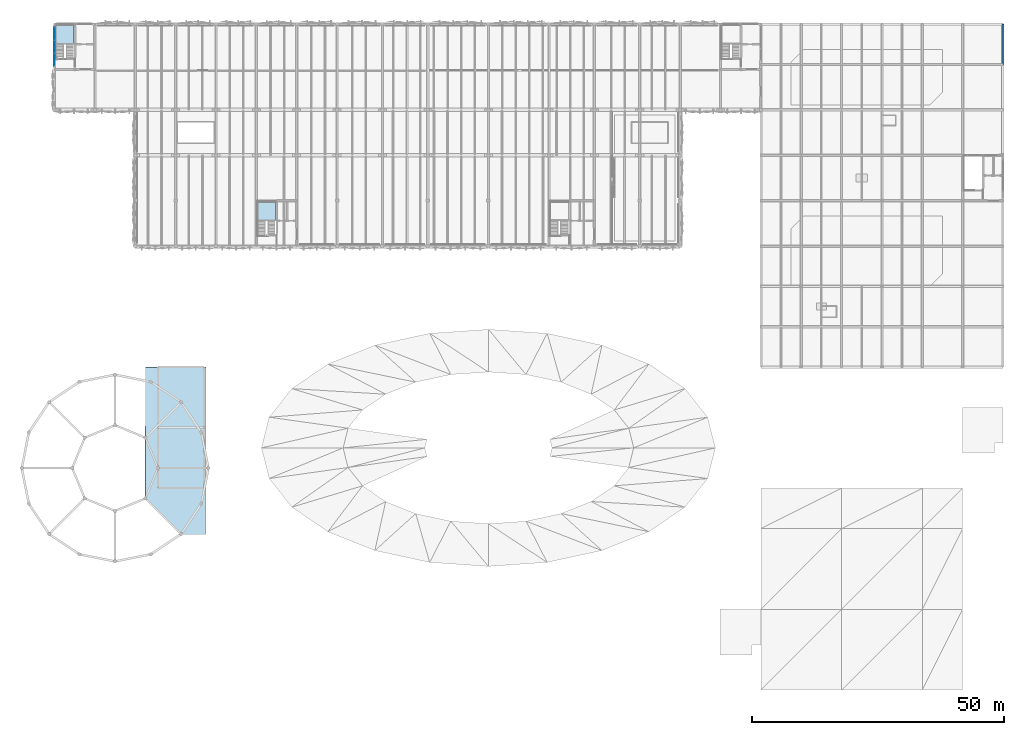
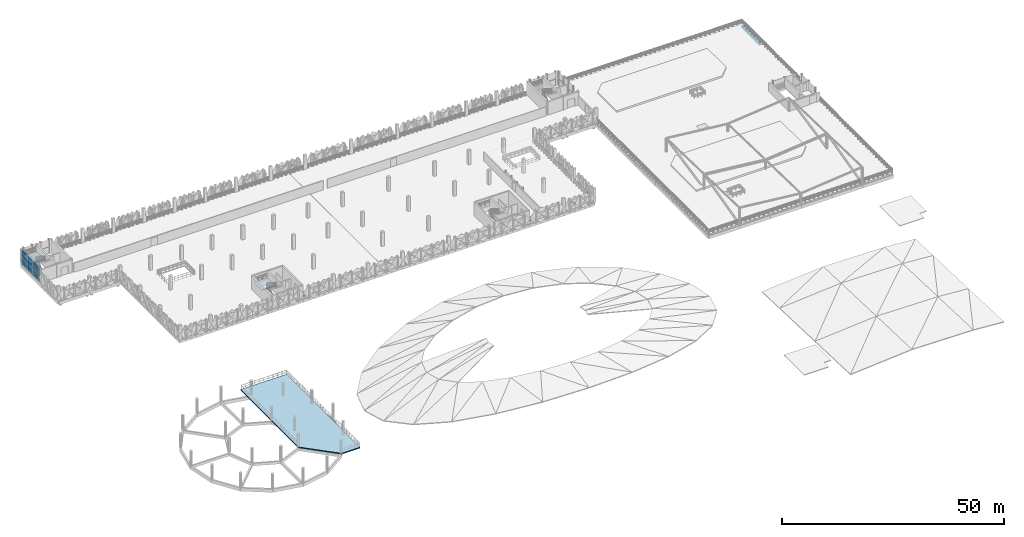
# One storey, part 21 of 52: 6 plates, 3 slabs, 1 beam, 3 elements without a shape of their own.
"""IFC4 building model written with IfcOpenShell, lengths in metres."""

from ifc_helpers import new_model, si_unit, derived_unit, direction, frame, origin, origin_2d, place, context, subcontext, project, spatial, polyline, rectangle, outline, extrude, material, layer, layer_set, material_profile, profile_set, type_object, element, aggregate, save


model = new_model("IFC4")

# Units and contexts
model_context = context("Model", 3, precision=1e-05, world=origin(), true_north=direction((0.0, 1.0)))
body_context = subcontext(model_context, "Body", "Model", "MODEL_VIEW")
ifc_project = project(units=[si_unit("LENGTHUNIT", "METRE"), si_unit("AREAUNIT", "SQUARE_METRE"), si_unit("VOLUMEUNIT", "CUBIC_METRE"), si_unit("PLANEANGLEUNIT", "RADIAN"), si_unit("MASSUNIT", "GRAM", prefix="KILO"), si_unit("THERMODYNAMICTEMPERATUREUNIT", "KELVIN"), derived_unit("THERMALTRANSMITTANCEUNIT", [(si_unit("POWERUNIT", "WATT"), 1), (si_unit("AREAUNIT", "SQUARE_METRE"), -1), (si_unit("THERMODYNAMICTEMPERATUREUNIT", "KELVIN"), -1)])], contexts=[model_context])

# Site, building, storey
site_placement = place(None, origin())
site = spatial("IfcSite", under=ifc_project, at=site_placement, CompositionType="ELEMENT")
building_placement = place(site_placement, origin())
building = spatial("IfcBuilding", under=site, at=building_placement, Name="Haiyu Intermodal Mobility Hub", CompositionType="ELEMENT")
storey_placement = place(building_placement, frame((0.0, 0.0, 21.199951171875)))
storey = spatial("IfcBuildingStorey", under=building, at=storey_placement, Name="L05", CompositionType="ELEMENT", Elevation=21.199951171875)

# Beam
ifc_material_1 = material(Name="Concrete C40", Category="concrete")
ifc_material_profile = material_profile(ifc_material_1, rectangle(XDim=0.39990234375, YDim=0.800048828125, at=origin_2d()), Name="RCB400x800")
ifc_profile_set = profile_set([ifc_material_profile], Name="Concrete C40")
beam_type = type_object("IfcBeamType", Name="BM-CB05", PredefinedType="BEAM", material=ifc_profile_set)
beam_placement = place(storey_placement, frame((210.0, 140.0, -0.699951171875), z_axis=(0.0, 1.0, 0.0), x_axis=(-1.0, 0.0, 0.0)))
element("IfcBeam", 1, at=beam_placement, inside=storey, type_object=beam_type, Name="BM-V6T-L05-056", PredefinedType="BEAM", context=body_context, shape_type="SweptSolid", body=[
    extrude(rectangle(XDim=0.39990234375, YDim=0.800048828125, at=origin_2d()), origin(), (0.0, 0.0, 1.0), 8.0),
])

# Curtain wall, plates
ifc_material_2 = material(Name="Low-e laminated insulating glass", Category="glass")
ifc_layer_1 = layer(ifc_material_2, 0.199951171875)
ifc_layer_set_1 = layer_set([ifc_layer_1], Name="Low-e laminated insulating glass")
curtain_wall_type = type_object("IfcCurtainWallType", Name="CW-CW03", PredefinedType="NOTDEFINED", material=ifc_layer_set_1)
curtain_wall_placement = place(storey_placement, origin())
curtain_wall = element("IfcCurtainWall", 2, at=curtain_wall_placement, inside=storey, type_object=curtain_wall_type, Name="Curtain Wall CW-C3S-L05-060", PredefinedType="NOTDEFINED")
ifc_layer_2 = layer(ifc_material_2, 0.0400390625)
ifc_layer_set_2 = layer_set([ifc_layer_2], Name="Low-e laminated insulating glass")
plate_type_1 = type_object("IfcPlateType", Name="PLT-CP03", PredefinedType="CURTAIN_PANEL", material=ifc_layer_set_2)
plate_1_placement = place(storey_placement, frame((22.0, 146.06005859375, 0.03515625), z_axis=(0.0, 0.0, 1.0), x_axis=(0.0, -1.0, 0.0)))
plate_1 = element("IfcPlate", 3, at=plate_1_placement, type_object=plate_type_1, Name="CW-C3S-L05-060-PN01", PredefinedType="CURTAIN_PANEL", context=body_context, shape_type="SweptSolid", body=[
    extrude(rectangle(XDim=2.469970703125, YDim=0.0400390625, at=origin_2d()), origin(), (0.0, 0.0, 1.0), 1.840087890625),
])
plate_2_placement = place(storey_placement, frame((22.0, 143.5, 0.03515625), z_axis=(0.0, 0.0, 1.0), x_axis=(0.0, -1.0, 0.0)))
plate_2 = element("IfcPlate", 4, at=plate_2_placement, type_object=plate_type_1, Name="CW-C3S-L05-060-PN03", PredefinedType="CURTAIN_PANEL", context=body_context, shape_type="SweptSolid", body=[
    extrude(rectangle(XDim=2.469970703125, YDim=0.0400390625, at=origin_2d()), origin(), (0.0, 0.0, 1.0), 1.840087890625),
])
plate_3_placement = place(storey_placement, frame((22.0, 140.93994140625, 0.03515625), z_axis=(0.0, 0.0, 1.0), x_axis=(0.0, -1.0, 0.0)))
plate_3 = element("IfcPlate", 5, at=plate_3_placement, type_object=plate_type_1, Name="CW-C3S-L05-060-PN05", PredefinedType="CURTAIN_PANEL", context=body_context, shape_type="SweptSolid", body=[
    extrude(rectangle(XDim=2.469970703125, YDim=0.0400390625, at=origin_2d()), origin(), (0.0, 0.0, 1.0), 1.840087890625),
])
ifc_layer_3 = layer(ifc_material_2, 0.0439453125)
ifc_layer_set_3 = layer_set([ifc_layer_3], Name="Low-e laminated insulating glass")
plate_type_2 = type_object("IfcPlateType", Name="PLT-CP04", PredefinedType="CURTAIN_PANEL", material=ifc_layer_set_3)
plate_4_placement = place(storey_placement, frame((22.0, 146.06005859375, 1.94482421875), z_axis=(0.0, 0.0, 1.0), x_axis=(0.0, -1.0, 0.0)))
plate_4 = element("IfcPlate", 6, at=plate_4_placement, type_object=plate_type_2, Name="CW-C3S-L05-060-PN02", PredefinedType="CURTAIN_PANEL", context=body_context, shape_type="SweptSolid", body=[
    extrude(rectangle(XDim=2.469970703125, YDim=0.0439453125, at=origin_2d()), origin(), (0.0, 0.0, 1.0), 1.840087890625),
])
plate_5_placement = place(storey_placement, frame((22.0, 143.5, 1.94482421875), z_axis=(0.0, 0.0, 1.0), x_axis=(0.0, -1.0, 0.0)))
plate_5 = element("IfcPlate", 7, at=plate_5_placement, type_object=plate_type_2, Name="CW-C3S-L05-060-PN04", PredefinedType="CURTAIN_PANEL", context=body_context, shape_type="SweptSolid", body=[
    extrude(rectangle(XDim=2.469970703125, YDim=0.0439453125, at=origin_2d()), origin(), (0.0, 0.0, 1.0), 1.840087890625),
])
plate_6_placement = place(storey_placement, frame((22.0, 140.93994140625, 1.94482421875), z_axis=(0.0, 0.0, 1.0), x_axis=(0.0, -1.0, 0.0)))
plate_6 = element("IfcPlate", 8, at=plate_6_placement, type_object=plate_type_2, Name="CW-C3S-L05-060-PN06", PredefinedType="CURTAIN_PANEL", context=body_context, shape_type="SweptSolid", body=[
    extrude(rectangle(XDim=2.469970703125, YDim=0.0439453125, at=origin_2d()), origin(), (0.0, 0.0, 1.0), 1.840087890625),
])
aggregate(curtain_wall, [plate_1, plate_4, plate_2, plate_5, plate_3, plate_6])

# Stair, slab
stair_type_1 = type_object("IfcStairType", Name="STR-ST03", PredefinedType="HALF_TURN_STAIR", material=ifc_material_1)
stair_1_placement = place(storey_placement, origin())
stair_1 = element("IfcStair", 9, at=stair_1_placement, inside=storey, type_object=stair_type_1, Name="Exit Stair ST02 L05", PredefinedType="HALF_TURN_STAIR")
ifc_layer_4 = layer(ifc_material_1, 0.2099609375)
ifc_layer_set_4 = layer_set([ifc_layer_4], Name="Concrete C40")
slab_type_1 = type_object("IfcSlabType", Name="SLB-SL13", PredefinedType="LANDING", material=ifc_layer_set_4)
slab_1_placement = place(storey_placement, frame((0.0, 0.0, 1.739990234375)))
slab_1 = element("IfcSlab", 10, at=slab_1_placement, type_object=slab_type_1, Name="Stair Half-Landing STR-C3-L05-LND", PredefinedType="LANDING", context=body_context, shape_type="SweptSolid", body=[
    extrude(outline(polyline([(22.219970703125, 144.1298828125), (25.8701171875, 144.1298828125), (25.8701171875, 147.780029296875), (22.219970703125, 147.780029296875), (22.219970703125, 144.1298828125)])), origin(), (0.0, 0.0, 1.0), 0.2099609375),
])
aggregate(stair_1, [slab_1])

stair_type_2 = type_object("IfcStairType", Name="STR-ST02", PredefinedType="HALF_TURN_STAIR", material=ifc_material_1)
stair_2_placement = place(storey_placement, origin())
stair_2 = element("IfcStair", 11, at=stair_2_placement, inside=storey, type_object=stair_type_2, Name="Exit Stair ST01 L05", PredefinedType="HALF_TURN_STAIR")
slab_2_placement = place(storey_placement, frame((0.0, 0.0, 1.739990234375)))
slab_2 = element("IfcSlab", 12, at=slab_2_placement, type_object=slab_type_1, Name="Stair Half-Landing STR-C5-L05-LND", PredefinedType="LANDING", context=body_context, shape_type="SweptSolid", body=[
    extrude(outline(polyline([(62.219970703125, 109.1298828125), (65.8701171875, 109.1298828125), (65.8701171875, 112.780029296875), (62.219970703125, 112.780029296875), (62.219970703125, 109.1298828125)])), origin(), (0.0, 0.0, 1.0), 0.2099609375),
])
aggregate(stair_2, [slab_2])

# Slab
ifc_layer_5 = layer(ifc_material_1, 0.27001953125)
ifc_layer_set_5 = layer_set([ifc_layer_5], Name="Concrete C40")
slab_type_2 = type_object("IfcSlabType", Name="SLB-SL14", PredefinedType="USERDEFINED", material=ifc_layer_set_5)
slab_3_placement = place(storey_placement, frame((0.0, 0.0, -0.27001953125)))
element("IfcSlab", 13, at=slab_3_placement, inside=storey, type_object=slab_type_2, Name="L05 Helical Ramp Arrival Deck", ObjectType="RAMP DECK", PredefinedType="USERDEFINED", context=body_context, shape_type="SweptSolid", body=[
    extrude(outline(polyline([(39.949951171875, 53.85009765625), (47.14990234375, 46.800048828125), (52.0, 46.800048828125), (52.0, 80.0), (40.0, 80.0), (39.949951171875, 53.85009765625)])), origin(), (0.0, 0.0, 1.0), 0.27001953125),
])

save(model, "model.ifc")
